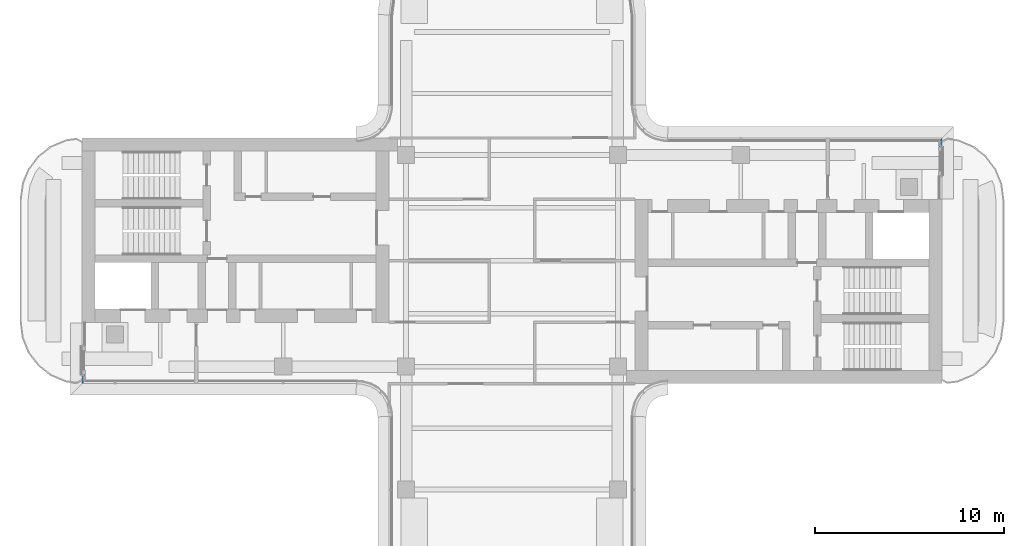
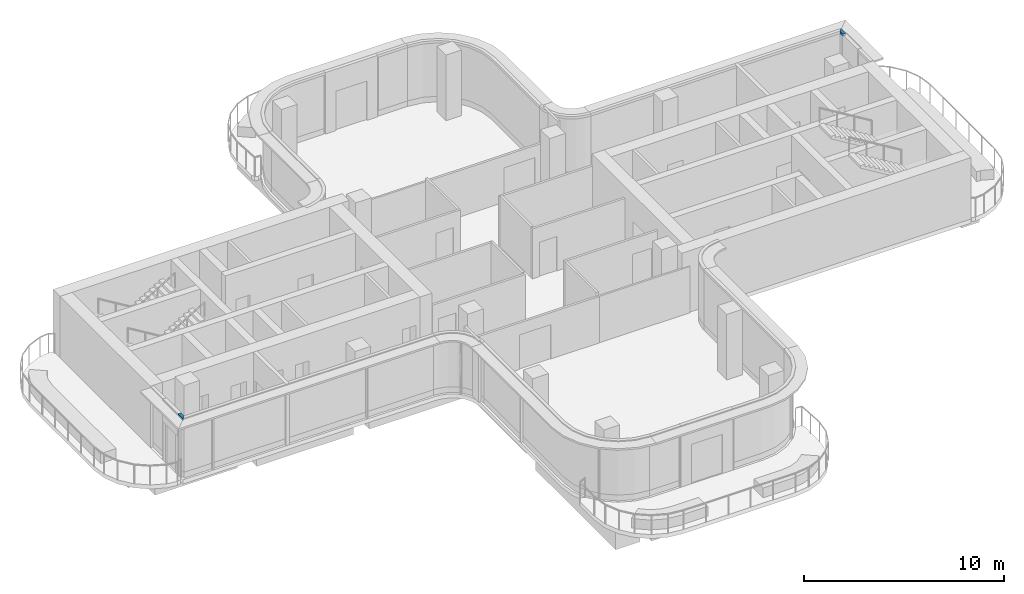
# One storey, part 8 of 18: 2 members, 2 elements without a shape of their own.
"""IFC4 building model written with IfcOpenShell, lengths in metres."""

from ifc_helpers import new_model, si_unit, direction, frame, origin, place, context, subcontext, project, spatial, polyline, outline, extrude, material, layer, layer_set, type_object, element, aggregate, save


model = new_model("IFC4")

# Units and contexts
model_context = context("Model", 3, precision=1e-05, world=origin(), true_north=direction((0.0, 1.0)))
body_context = subcontext(model_context, "Body", "Model", "MODEL_VIEW")
ifc_project = project(units=[si_unit("LENGTHUNIT", "METRE"), si_unit("AREAUNIT", "SQUARE_METRE"), si_unit("VOLUMEUNIT", "CUBIC_METRE"), si_unit("PLANEANGLEUNIT", "RADIAN"), si_unit("MASSUNIT", "GRAM", prefix="KILO")], contexts=[model_context])

# Site, building, storey
site_placement = place(None, origin())
site = spatial("IfcSite", under=ifc_project, at=site_placement, CompositionType="ELEMENT")
building_placement = place(site_placement, origin())
building = spatial("IfcBuilding", under=site, at=building_placement, Name="Trellis Farm Tower", CompositionType="ELEMENT")
storey_placement = place(building_placement, frame((0.0, 0.0, 338.10009765625)))
storey = spatial("IfcBuildingStorey", under=building, at=storey_placement, Name="L76", CompositionType="ELEMENT", Elevation=338.10009765625)

# Curtain wall, member
ifc_material_1 = material(Name="Aluminium and glass curtain wall", Category="aluminium")
ifc_layer_1 = layer(ifc_material_1, 0.176025390625)
ifc_layer_set_1 = layer_set([ifc_layer_1], Name="CROWN LANTERN CURTAIN WALL CW5")
curtain_wall_type = type_object("IfcCurtainWallType", Name="CROWN LANTERN CURTAIN WALL CW5", PredefinedType="NOTDEFINED", material=ifc_layer_set_1)
placement_1 = place(storey_placement, origin())
curtain_wall_1 = element("IfcCurtainWall", 1, at=placement_1, inside=storey, type_object=curtain_wall_type, Name="CW5 007", PredefinedType="NOTDEFINED")
ifc_material_2 = material(Name="Aluminium extrusion 6063-T6", Category="aluminium")
ifc_layer_2 = layer(ifc_material_2, 0.176025390625)
ifc_layer_set_2 = layer_set([ifc_layer_2], Name="Aluminium extrusion 6063-T6")
member_type = type_object("IfcMemberType", Name="CW5 TRANSOM 176x150", PredefinedType="USERDEFINED", material=ifc_layer_set_2)
placement_2 = place(storey_placement, frame((0.0, 0.0, 3.599853515625)))
member_1 = element("IfcMember", 2, at=placement_2, type_object=member_type, Name="TR5 007", ObjectType="TRANSOM", PredefinedType="USERDEFINED", context=body_context, shape_type="SweptSolid", body=[
    extrude(outline(polyline([(22.75, 6.02001953125), (22.75, 6.5), (22.573974609375, 6.323974609375), (22.573974609375, 6.02001953125), (22.75, 6.02001953125)])), origin(), (0.0, 0.0, 1.0), 0.150146484375),
])
aggregate(curtain_wall_1, [member_1])

curtain_wall_2 = element("IfcCurtainWall", 3, at=placement_1, inside=storey, type_object=curtain_wall_type, Name="CW5 016", PredefinedType="NOTDEFINED")
member_2 = element("IfcMember", 4, at=placement_2, type_object=member_type, Name="TR5 016", ObjectType="TRANSOM", PredefinedType="USERDEFINED", context=body_context, shape_type="SweptSolid", body=[
    extrude(outline(polyline([(-22.75, -6.02001953125), (-22.75, -6.5), (-22.573974609375, -6.323974609375), (-22.573974609375, -6.02001953125), (-22.75, -6.02001953125)])), origin(), (0.0, 0.0, 1.0), 0.150146484375),
])
aggregate(curtain_wall_2, [member_2])

save(model, "model.ifc")
